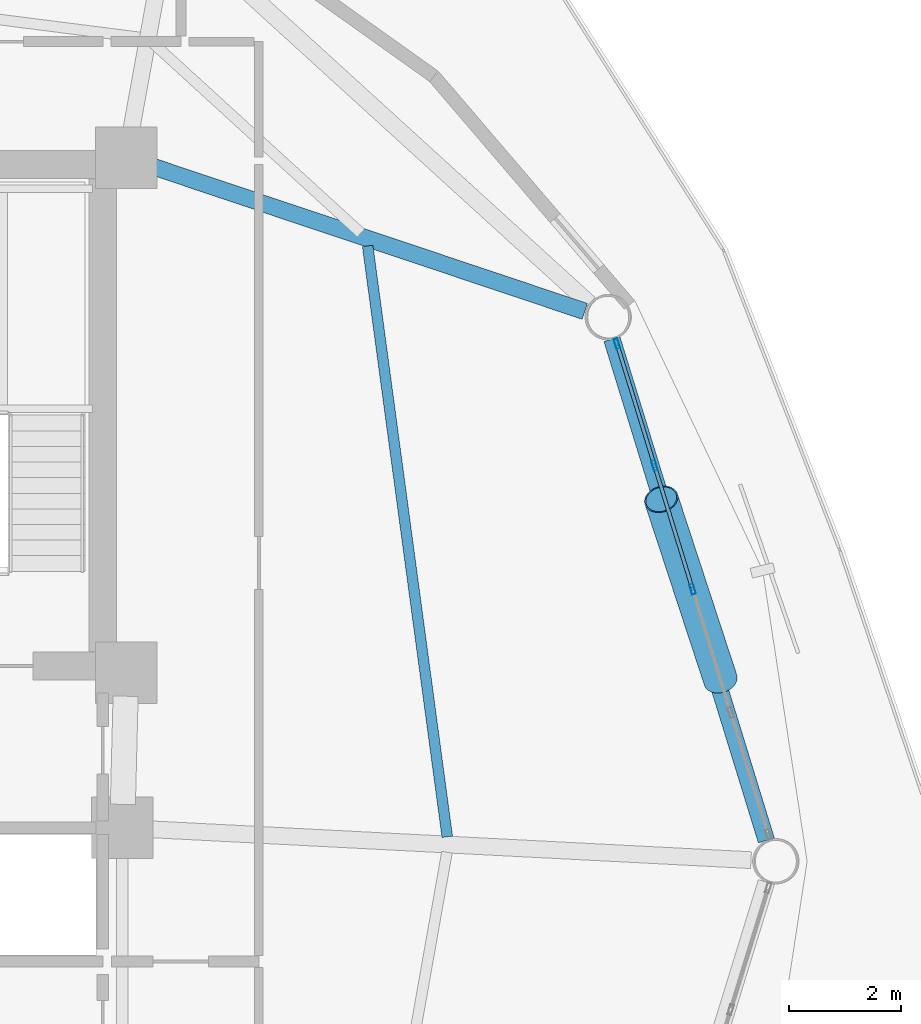
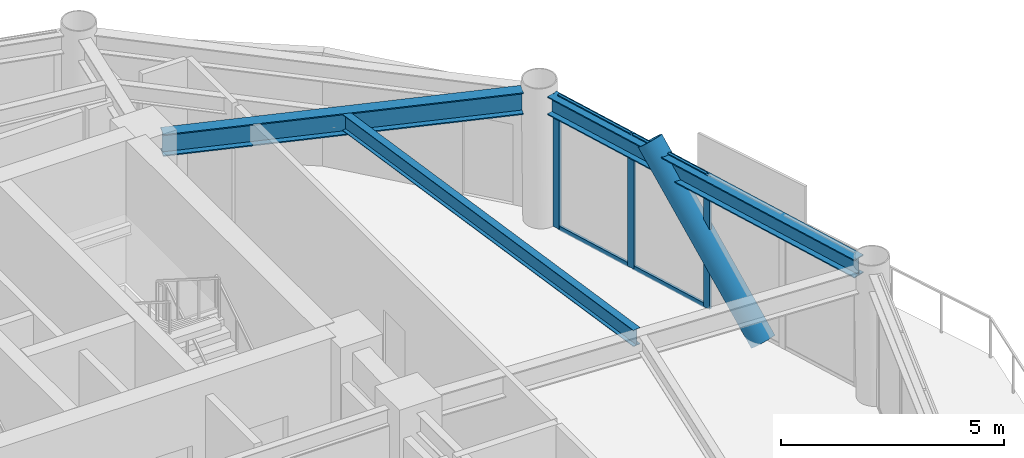
# One storey, part 14 of 24: 8 members, 3 beams, 1 element without a shape of its own.
"""IFC4 building model written with IfcOpenShell, lengths in metres."""

from ifc_helpers import new_model, si_unit, direction, frame, origin, origin_2d, place, context, subcontext, project, spatial, hollow_rectangle, hollow_circle, i_section, extrude, material, layer, layer_set, material_profile, profile_set, type_object, element, aggregate, save


model = new_model("IFC4")

# Units and contexts
model_context = context("Model", 3, precision=1e-05, world=origin(), true_north=direction((0.0, 1.0)))
body_context = subcontext(model_context, "Body", "Model", "MODEL_VIEW")
ifc_project = project(units=[si_unit("LENGTHUNIT", "METRE"), si_unit("AREAUNIT", "SQUARE_METRE"), si_unit("VOLUMEUNIT", "CUBIC_METRE"), si_unit("PLANEANGLEUNIT", "RADIAN"), si_unit("MASSUNIT", "GRAM", prefix="KILO")], contexts=[model_context])

# Site, building, storey
site_placement = place(None, origin())
site = spatial("IfcSite", under=ifc_project, at=site_placement, CompositionType="ELEMENT")
building_placement = place(site_placement, origin())
building = spatial("IfcBuilding", under=site, at=building_placement, Name="Varnakorn Sky Granary", CompositionType="ELEMENT")
storey_placement = place(building_placement, frame((0.0, 0.0, 103.199951171875)))
storey = spatial("IfcBuildingStorey", under=building, at=storey_placement, Name="L25", CompositionType="ELEMENT", Elevation=103.199951171875)

# Beams
ifc_material_1 = material(Name="Steel S355JR", Category="steel")
ifc_material_profile_1 = material_profile(ifc_material_1, i_section(OverallWidth=0.300048828125, OverallDepth=0.60009765625, WebThickness=0.015380859375, FlangeThickness=0.030029296875, at=origin_2d()), Name="HE 600 B")
ifc_profile_set_1 = profile_set([ifc_material_profile_1], Name="Steel S355JR")
beam_type_1 = type_object("IfcBeamType", Name="BM-RAD-Z2", PredefinedType="BEAM", material=ifc_profile_set_1)
beam_1_placement = place(storey_placement, frame((8.818115234375, 12.486572265625, 3.340087890625), z_axis=(0.948158595169, -0.31779754311, 0.0), x_axis=(0.31779754311, 0.948158595169, 0.0)))
element("IfcBeam", 1, at=beam_1_placement, inside=storey, type_object=beam_type_1, Name="Radial Floor Girder RG02 L25", PredefinedType="BEAM", context=body_context, shape_type="SweptSolid", body=[
    extrude(i_section(OverallWidth=0.300048828125, OverallDepth=0.60009765625, WebThickness=0.015380859375, FlangeThickness=0.030029296875, at=origin_2d()), origin(), (0.0, 0.0, 1.0), 8.256103515625),
])
ifc_material_profile_2 = material_profile(ifc_material_1, i_section(OverallWidth=0.18994140625, OverallDepth=0.449951171875, WebThickness=0.009521484375, FlangeThickness=0.0146484375, at=origin_2d()), Name="IPE 450")
ifc_profile_set_2 = profile_set([ifc_material_profile_2], Name="Steel S355JR")
beam_type_2 = type_object("IfcBeamType", Name="BM-SEC-Z2", PredefinedType="BEAM", material=ifc_profile_set_2)
beam_2_placement = place(storey_placement, frame((14.178955078125, 0.43798828125, 3.4150390625), z_axis=(-0.133534912053, 0.991044109645, 0.0), x_axis=(-0.991044109645, -0.133534912053, 0.0)))
element("IfcBeam", 2, at=beam_2_placement, inside=storey, type_object=beam_type_2, Name="Secondary Floor Chord Beam MSB01 L25", PredefinedType="BEAM", context=body_context, shape_type="SweptSolid", body=[
    extrude(i_section(OverallWidth=0.18994140625, OverallDepth=0.449951171875, WebThickness=0.009521484375, FlangeThickness=0.0146484375, at=origin_2d()), origin(), (0.0, 0.0, 1.0), 10.693603515625),
])
ifc_material_profile_3 = material_profile(ifc_material_1, i_section(OverallWidth=0.300048828125, OverallDepth=0.5, WebThickness=0.014404296875, FlangeThickness=0.028076171875, at=origin_2d()), Name="HE 500 B")
ifc_profile_set_3 = profile_set([ifc_material_profile_3], Name="Steel S355JR")
beam_type_3 = type_object("IfcBeamType", Name="BM-SPD-Z2", PredefinedType="SPANDREL", material=ifc_profile_set_3)
beam_3_placement = place(storey_placement, frame((19.90185546875, 0.374267578125, 3.39013671875), z_axis=(-0.294390401582, 0.955685247064, 0.0), x_axis=(-0.955685247064, -0.294390401582, 0.0)))
element("IfcBeam", 3, at=beam_3_placement, inside=storey, type_object=beam_type_3, Name="Perimeter Spandrel Ring Beam RB01 L25", PredefinedType="SPANDREL", context=body_context, shape_type="SweptSolid", body=[
    extrude(i_section(OverallWidth=0.300048828125, OverallDepth=0.5, WebThickness=0.014404296875, FlangeThickness=0.028076171875, at=origin_2d()), origin(), (0.0, 0.0, 1.0), 9.40673828125),
])

# Curtain wall, members
ifc_material_2 = material(Name="Anodised Bronze Aluminium Alloy 6063-T6", Category="aluminium")
ifc_layer = layer(ifc_material_2, 0.179931640625, Name="Anodised Bronze Aluminium Alloy 6063-T6")
ifc_layer_set = layer_set([ifc_layer], Name="Anodised Bronze Aluminium Alloy 6063-T6")
curtain_wall_type = type_object("IfcCurtainWallType", Name="CW-FRM-2", PredefinedType="USERDEFINED", material=ifc_layer_set)
curtain_wall_placement = place(storey_placement, origin())
curtain_wall = element("IfcCurtainWall", 4, at=curtain_wall_placement, inside=storey, type_object=curtain_wall_type, Name="Unitised Curtain Wall CW4 CW-L25-B01", ObjectType="CURTAIN WALL", PredefinedType="USERDEFINED")
ifc_material_profile_4 = material_profile(ifc_material_2, hollow_rectangle(XDim=0.070068359375, YDim=0.18505859375, WallThickness=0.00390625, at=origin_2d()), Name="ALU MULL 70x185")
ifc_profile_set_4 = profile_set([ifc_material_profile_4], Name="Anodised Bronze Aluminium Alloy 6063-T6")
member_type_1 = type_object("IfcMemberType", Name="CW-FRM-2-MULL", PredefinedType="MULLION", material=ifc_profile_set_4)
member_1_placement = place(storey_placement, frame((17.22216796875, 9.283203125, 0.0), z_axis=(0.0, 0.0, 1.0), x_axis=(0.955651974312, 0.294498393873, 0.0)))
member_1 = element("IfcMember", 5, at=member_1_placement, type_object=member_type_1, Name="CW4 mullion 1", PredefinedType="MULLION", context=body_context, shape_type="SweptSolid", body=[
    extrude(hollow_rectangle(XDim=0.070068359375, YDim=0.18505859375, WallThickness=0.00390625, at=origin_2d()), origin(), (0.0, 0.0, 1.0), 3.64013671875),
])
member_2_placement = place(storey_placement, frame((17.895263671875, 7.098876953125, 0.0), z_axis=(0.0, 0.0, 1.0), x_axis=(0.955651974312, 0.294498393873, 0.0)))
member_2 = element("IfcMember", 6, at=member_2_placement, type_object=member_type_1, Name="CW4 mullion 2", PredefinedType="MULLION", context=body_context, shape_type="SweptSolid", body=[
    extrude(hollow_rectangle(XDim=0.070068359375, YDim=0.18505859375, WallThickness=0.00390625, at=origin_2d()), origin(), (0.0, 0.0, 1.0), 3.64013671875),
])
member_3_placement = place(storey_placement, frame((18.578857421875, 4.88134765625, 0.0), z_axis=(0.0, 0.0, 1.0), x_axis=(0.955651974312, 0.294498393873, 0.0)))
member_3 = element("IfcMember", 7, at=member_3_placement, type_object=member_type_1, Name="CW4 mullion 3", PredefinedType="MULLION", context=body_context, shape_type="SweptSolid", body=[
    extrude(hollow_rectangle(XDim=0.070068359375, YDim=0.18505859375, WallThickness=0.00390625, at=origin_2d()), origin(), (0.0, 0.0, 1.0), 3.64013671875),
])
ifc_material_profile_5 = material_profile(ifc_material_2, hollow_rectangle(XDim=0.06494140625, YDim=0.1201171875, WallThickness=0.00341796875, at=origin_2d()), Name="ALU TRAN 65x120")
ifc_profile_set_5 = profile_set([ifc_material_profile_5], Name="Anodised Bronze Aluminium Alloy 6063-T6")
member_type_2 = type_object("IfcMemberType", Name="CW-FRM-2-TRAN", PredefinedType="USERDEFINED", material=ifc_profile_set_5)
member_4_placement = place(storey_placement, frame((17.232421875, 9.249755859375, 0.032470703125), z_axis=(0.294527157053, -0.955643110035, 0.0), x_axis=(0.955643110035, 0.294527157053, 0.0)))
member_4 = element("IfcMember", 8, at=member_4_placement, type_object=member_type_2, Name="CW4 transom 1.1", ObjectType="TRANSOM", PredefinedType="USERDEFINED", context=body_context, shape_type="SweptSolid", body=[
    extrude(hollow_rectangle(XDim=0.06494140625, YDim=0.1201171875, WallThickness=0.00341796875, at=origin_2d()), origin(), (0.0, 0.0, 1.0), 2.2158203125),
])
member_5_placement = place(storey_placement, frame((17.232421875, 9.249755859375, 3.607666015625), z_axis=(0.294527157053, -0.955643110035, 0.0), x_axis=(0.955643110035, 0.294527157053, 0.0)))
member_5 = element("IfcMember", 9, at=member_5_placement, type_object=member_type_2, Name="CW4 transom 1.2", ObjectType="TRANSOM", PredefinedType="USERDEFINED", context=body_context, shape_type="SweptSolid", body=[
    extrude(hollow_rectangle(XDim=0.06494140625, YDim=0.1201171875, WallThickness=0.00341796875, at=origin_2d()), origin(), (0.0, 0.0, 1.0), 2.2158203125),
])
member_6_placement = place(storey_placement, frame((17.905517578125, 7.0654296875, 0.032470703125), z_axis=(0.294535587408, -0.955640511777, 0.0), x_axis=(0.955640511777, 0.294535587408, 0.0)))
member_6 = element("IfcMember", 10, at=member_6_placement, type_object=member_type_2, Name="CW4 transom 2.1", ObjectType="TRANSOM", PredefinedType="USERDEFINED", context=body_context, shape_type="SweptSolid", body=[
    extrude(hollow_rectangle(XDim=0.06494140625, YDim=0.1201171875, WallThickness=0.00341796875, at=origin_2d()), origin(), (0.0, 0.0, 1.0), 2.25048828125),
])
member_7_placement = place(storey_placement, frame((17.905517578125, 7.0654296875, 3.607666015625), z_axis=(0.294535587408, -0.955640511777, 0.0), x_axis=(0.955640511777, 0.294535587408, 0.0)))
member_7 = element("IfcMember", 11, at=member_7_placement, type_object=member_type_2, Name="CW4 transom 2.2", ObjectType="TRANSOM", PredefinedType="USERDEFINED", context=body_context, shape_type="SweptSolid", body=[
    extrude(hollow_rectangle(XDim=0.06494140625, YDim=0.1201171875, WallThickness=0.00341796875, at=origin_2d()), origin(), (0.0, 0.0, 1.0), 2.25048828125),
])
aggregate(curtain_wall, [member_1, member_2, member_3, member_4, member_5, member_6, member_7])

# Member
ifc_material_3 = material(Name="Steel S460M", Category="steel")
ifc_material_profile_6 = material_profile(ifc_material_3, hollow_circle(Radius=0.304931640625, WallThickness=0.022216796875, at=origin_2d()), Name="CHS 610x22")
ifc_profile_set_6 = profile_set([ifc_material_profile_6], Name="Steel S460M")
member_type_3 = type_object("IfcMemberType", Name="MB-DIAG-T1", PredefinedType="BRACE", material=ifc_profile_set_6)
member_8_placement = place(storey_placement, frame((19.080078125, 3.254150390625, -0.1298828125), z_axis=(-0.204600629855, 0.62339034086, 0.75466751963), x_axis=(-0.950134582197, -0.311840144485, 0.0)))
element("IfcMember", 12, at=member_8_placement, inside=storey, type_object=member_type_3, Name="Perimeter CHS Diagrid Brace DG01 L25", PredefinedType="BRACE", context=body_context, shape_type="SweptSolid", body=[
    extrude(hollow_circle(Radius=0.304931640625, WallThickness=0.022216796875, at=origin_2d()), origin(), (0.0, 0.0, 1.0), 5.1943359375),
])

save(model, "model.ifc")
